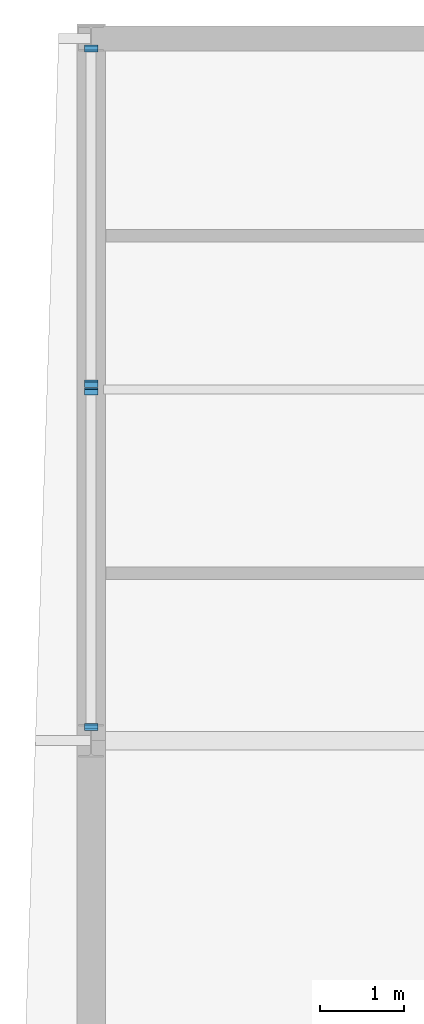
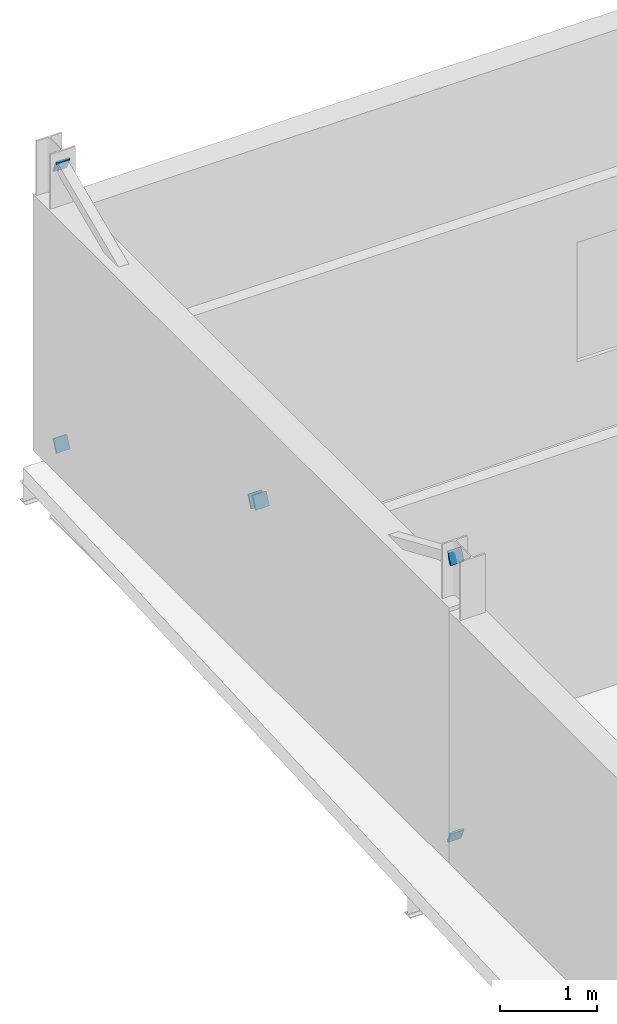
# One storey, part 9 of 16: 6 plates.
"""IFC4 building model written with IfcOpenShell, lengths in metres."""

from ifc_helpers import new_model, si_unit, direction, frame, origin, origin_2d, place, context, subcontext, project, spatial, rectangle, extrude, material, material_profile, profile_set, type_object, element, save


model = new_model("IFC4")

# Units and contexts
model_context = context("Model", 3, precision=1e-05, world=origin(), true_north=direction((0.0, 1.0)))
body_context = subcontext(model_context, "Body", "Model", "MODEL_VIEW")
ifc_project = project(units=[si_unit("LENGTHUNIT", "METRE"), si_unit("AREAUNIT", "SQUARE_METRE"), si_unit("VOLUMEUNIT", "CUBIC_METRE"), si_unit("PLANEANGLEUNIT", "RADIAN"), si_unit("MASSUNIT", "GRAM", prefix="KILO")], contexts=[model_context])

# Site, building, storey
site_placement = place(None, origin())
site = spatial("IfcSite", under=ifc_project, at=site_placement, CompositionType="ELEMENT")
building_placement = place(site_placement, origin())
building = spatial("IfcBuilding", under=site, at=building_placement, Name="Vinh Khe Railworks Police Headquarters", CompositionType="ELEMENT")
storey_placement = place(building_placement, frame((0.0, 0.0, 28.800048828125)))
storey = spatial("IfcBuildingStorey", under=building, at=storey_placement, Name="L07", CompositionType="ELEMENT", Elevation=28.800048828125)

# Plates
ifc_material = material(Name="Steel S355JR", Category="steel")
ifc_material_profile = material_profile(ifc_material, rectangle(XDim=0.159912109375, YDim=0.159912109375, at=origin_2d()), Name="PL 160x160")
ifc_profile_set = profile_set([ifc_material_profile], Name="Steel S355JR")
plate_type = type_object("IfcPlateType", Name="Steel End-Cap Plate 160x160x24", PredefinedType="SHEET", material=ifc_profile_set)
for number, where, z_axis, x_axis, name in (
    (1, (0.60009765625, 96.175048828125, 0.199951171875), (0.0, -0.91755562531, -0.397607437634), (1.0, 0.0, 0.0), "End-Cap Gusset Plate PLT-EP-0055"),
    (2, (0.60009765625, 96.175048828125, 3.699951171875), (0.0, -0.91755562531, 0.397607437634), (1.0, 0.0, 0.0), "End-Cap Gusset Plate PLT-EP-0056"),
    (3, (0.60009765625, 100.165283203125, 1.974853515625), (0.0, 0.91755562531, -0.397607437634), (-1.0, 0.0, 0.0), "End-Cap Gusset Plate PLT-EP-0071"),
    (4, (0.60009765625, 100.27978515625, 1.925048828125), (0.0, -0.91755562531, 0.397607437634), (1.0, 0.0, 0.0), "End-Cap Gusset Plate PLT-EP-0077"),
    (5, (0.60009765625, 104.27001953125, 0.199951171875), (0.0, 0.91755562531, -0.397607437634), (-1.0, 0.0, 0.0), "End-Cap Gusset Plate PLT-EP-0095"),
    (6, (0.60009765625, 104.27001953125, 3.699951171875), (0.0, 0.91755562531, 0.397607437634), (-1.0, 0.0, 0.0), "End-Cap Gusset Plate PLT-EP-0096"),
):
    element("IfcPlate", number, at=place(storey_placement, frame(where, z_axis=z_axis, x_axis=x_axis)), inside=storey, type_object=plate_type, Name=name, PredefinedType="SHEET", context=body_context, shape_type="SweptSolid", body=[
        extrude(rectangle(XDim=0.159912109375, YDim=0.159912109375, at=origin_2d()), origin(), (0.0, 0.0, 1.0), 0.02392578125),
    ])

save(model, "model.ifc")
